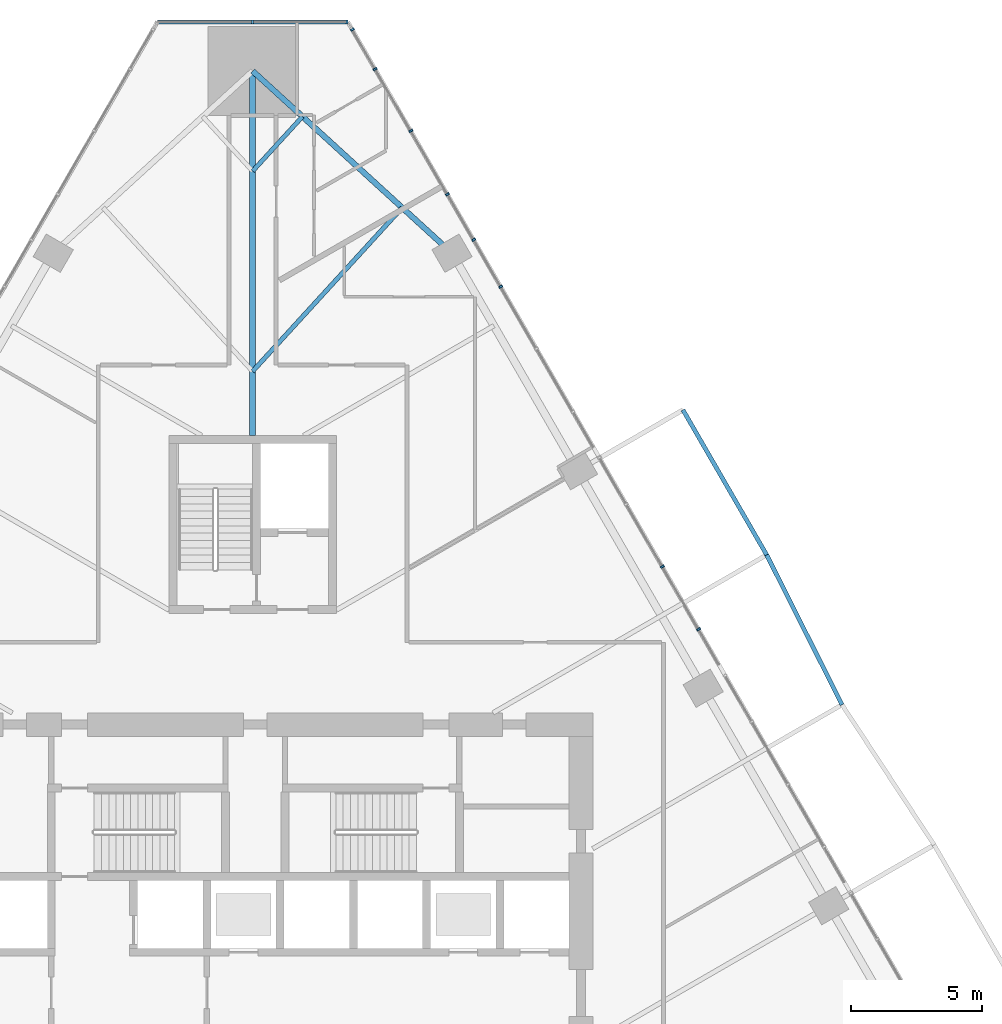
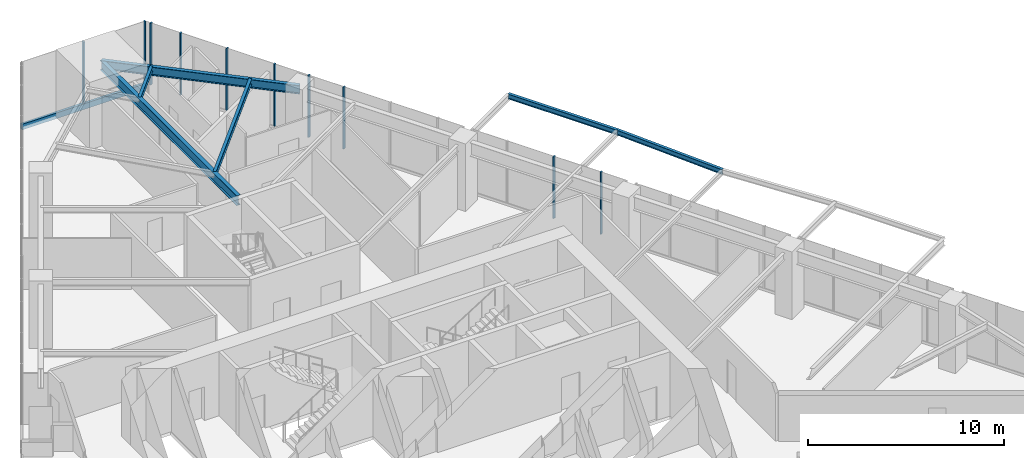
# One storey, part 13 of 29: 11 members, 6 beams, 2 elements without a shape of their own.
"""IFC4 building model written with IfcOpenShell, lengths in metres."""

import ifcopenshell
import ifcopenshell.guid

model = None  # the IFC model being written
_history = None  # IfcOwnerHistory: only IFC2X3 demands one
_inside = {}  # id of a spatial element -> (the spatial element, [elements in it])
_under = {}  # id of a project, library or spatial element -> (it, [spatial elements below it])
_declared = {}  # id of a project -> (the project, [libraries it declares])
_typed = {}  # id of a type object -> (the type object, [elements of that type])
_made_of = {}  # id of a material, layer set ... -> (it, [elements and type objects made of it])


def new_model(schema):
    """Start an empty IFC model of exactly this schema.

    Asked for "IFC4X3", IfcOpenShell would pick the latest addendum, in which some entities
    have other attributes; the version numbers below select the first issue.
    IFC2X3 requires an IfcOwnerHistory on every rooted entity: one is made here for all.
    """
    global model, _history
    if schema == "IFC4X3":
        model = ifcopenshell.file(schema_version=(4, 3, 0, 0))
    else:
        model = ifcopenshell.file(schema=schema)
    _inside.clear()
    _under.clear()
    _declared.clear()
    _typed.clear()
    _made_of.clear()
    _history = None
    if model.schema == "IFC2X3":
        org = make("IfcOrganization", Name="unknown")
        user = make(
            "IfcPersonAndOrganization",
            ThePerson=make("IfcPerson", FamilyName="unknown"),
            TheOrganization=org,
        )
        app = make(
            "IfcApplication",
            ApplicationDeveloper=org,
            Version="unknown",
            ApplicationFullName="unknown",
            ApplicationIdentifier="unknown",
        )
        _history = make(
            "IfcOwnerHistory",
            OwningUser=user,
            OwningApplication=app,
            ChangeAction="ADDED",
            CreationDate=0,
        )
    return model


def make(cls, **values):
    """One entity of the class cls with the attributes given. An attribute that is None is left unset."""
    return model.create_entity(
        cls, **{name: value for name, value in values.items() if value is not None}
    )


def rooted(cls, **values):
    """An entity with a GlobalId (a new one), such as an element, a storey or a relation."""
    return make(cls, GlobalId=ifcopenshell.guid.new(), OwnerHistory=_history, **values)


def si_unit(unit_type, name, prefix=None):
    """IfcSIUnit, for example si_unit("LENGTHUNIT", "METRE", prefix="MILLI")."""
    return make("IfcSIUnit", UnitType=unit_type, Prefix=prefix, Name=name)


def assignment(units):
    """IfcUnitAssignment: the units of a project."""
    return None if units is None else make("IfcUnitAssignment", Units=units)


def point(xyz):
    """IfcCartesianPoint."""
    return None if xyz is None else make("IfcCartesianPoint", Coordinates=xyz)


def direction(xyz):
    """IfcDirection."""
    return None if xyz is None else make("IfcDirection", DirectionRatios=xyz)


def frame(location, z_axis=None, x_axis=None):
    """IfcAxis2Placement3D, a coordinate frame: its origin and axes. An axis left out is left unset."""
    return make(
        "IfcAxis2Placement3D",
        Location=point(location),
        Axis=direction(z_axis),
        RefDirection=direction(x_axis),
    )


def frame_2d(location, x_axis=None):
    """IfcAxis2Placement2D, a coordinate frame in the plane: its origin and x axis."""
    return make(
        "IfcAxis2Placement2D", Location=point(location), RefDirection=direction(x_axis)
    )


def origin():
    """The frame at (0, 0, 0) with its axes left unset."""
    return frame((0.0, 0.0, 0.0))


def origin_2d():
    """The frame at (0, 0) in the plane with its x axis left unset."""
    return frame_2d((0.0, 0.0))


def place(relative_to, where):
    """IfcLocalPlacement: puts the frame where relative to a parent placement (None: the world)."""
    return make(
        "IfcLocalPlacement", PlacementRelTo=relative_to, RelativePlacement=where
    )


def context(
    kind, dimensions, precision=None, world=None, true_north=None, identifier=None
):
    """IfcGeometricRepresentationContext, for example the 3D "Model" context."""
    return make(
        "IfcGeometricRepresentationContext",
        ContextIdentifier=identifier,
        ContextType=kind,
        CoordinateSpaceDimension=dimensions,
        Precision=precision,
        WorldCoordinateSystem=world,
        TrueNorth=true_north,
    )


def subcontext(parent, identifier, kind, view, scale=None):
    """IfcGeometricRepresentationSubContext, for example "Body" below "Model"."""
    return make(
        "IfcGeometricRepresentationSubContext",
        ContextIdentifier=identifier,
        ContextType=kind,
        ParentContext=parent,
        TargetScale=scale,
        TargetView=view,
    )


def project(units=None, contexts=None):
    """IfcProject with its units and contexts."""
    return rooted(
        "IfcProject",
        Name="project",
        RepresentationContexts=contexts,
        UnitsInContext=assignment(units),
    )


def spatial(cls, under=None, at=None, **own):
    """A site, building, storey or space (cls), placed at a placement, below another one or the project."""
    s = rooted(cls, ObjectPlacement=at, **own)
    if under is not None:
        _under.setdefault(under.id(), (under, []))[1].append(s)
    return s


def profile(cls, at=None, kind="AREA", **sizes):
    """A parametric profile (cls). Its sizes go by their IFC names, for example OverallWidth=200.0."""
    return make(cls, ProfileType=kind, Position=at, **sizes)


def rectangle(**sizes):
    """IfcRectangleProfileDef."""
    return profile("IfcRectangleProfileDef", **sizes)


def i_section(**sizes):
    """IfcIShapeProfileDef."""
    return profile("IfcIShapeProfileDef", **sizes)


def extrude(swept, where, along, depth):
    """IfcExtrudedAreaSolid: the profile swept, set in the frame where, extruded along a direction by depth."""
    return make(
        "IfcExtrudedAreaSolid",
        SweptArea=swept,
        Position=where,
        ExtrudedDirection=direction(along),
        Depth=depth,
    )


def shape(context_of_items, identifier, shape_type, items):
    """IfcShapeRepresentation: the items that make up one representation, for example the "Body"."""
    return make(
        "IfcShapeRepresentation",
        ContextOfItems=context_of_items,
        RepresentationIdentifier=identifier,
        RepresentationType=shape_type,
        Items=items,
    )


def material(Name=None, Category=None):
    """IfcMaterial."""
    return make("IfcMaterial", Name=Name, Category=Category)


def layer(
    of_material, thickness, ventilated=None, Name=None, Category=None, Priority=None
):
    """IfcMaterialLayer: one layer of a wall or slab, of a material (None: an air gap)."""
    return make(
        "IfcMaterialLayer",
        Material=of_material,
        LayerThickness=thickness,
        IsVentilated=ventilated,
        Name=Name,
        Category=Category,
        Priority=Priority,
    )


def layer_set(layers, Name=None):
    """IfcMaterialLayerSet."""
    return make("IfcMaterialLayerSet", MaterialLayers=layers, LayerSetName=Name)


def material_profile(
    of_material, cross_section, Name=None, Category=None, Priority=None
):
    """IfcMaterialProfile: a cross section and its material."""
    return make(
        "IfcMaterialProfile",
        Name=Name,
        Material=of_material,
        Profile=cross_section,
        Priority=Priority,
        Category=Category,
    )


def profile_set(profiles, Name=None, composite=None):
    """IfcMaterialProfileSet."""
    return make(
        "IfcMaterialProfileSet",
        Name=Name,
        MaterialProfiles=profiles,
        CompositeProfile=composite,
    )


def made_of(thing, what):
    """Note that an element or type object is made of a material, layer set ...; save() writes the relation."""
    if what is not None:
        _made_of.setdefault(what.id(), (what, []))[1].append(thing)
    return thing


def type_object(cls, material=None, **own):
    """A type object (cls), such as IfcWallType, which elements share."""
    return made_of(rooted(cls, **own), material)


def element(
    cls,
    number,
    at=None,
    inside=None,
    cuts=None,
    type_object=None,
    material=None,
    context=None,
    identifier="Body",
    shape_type=None,
    held_by="IfcProductDefinitionShape",
    body=None,
    shapes=None,
    **own,
):
    """One element of the class cls, such as IfcWall. Its Tag is "e" and its number.

    at: its placement. inside: the storey or other place that contains it. cuts: it is an
    opening in that element (IfcRelVoidsElement). A single representation is given by context,
    identifier, shape_type and body (its items); several are given by shapes. held_by: the class
    of the entity that holds the representations. save() writes the other relations.
    """
    e = rooted(cls, Tag="e%d" % number, ObjectPlacement=at, **own)
    if body is not None:
        shapes = [shape(context, identifier, shape_type, body)]
    if shapes is not None:
        e.Representation = make(held_by, Representations=shapes)
    if inside is not None:
        _inside.setdefault(inside.id(), (inside, []))[1].append(e)
    if cuts is not None:
        rooted(
            "IfcRelVoidsElement", RelatingBuildingElement=cuts, RelatedOpeningElement=e
        )
    if type_object is not None:
        _typed.setdefault(type_object.id(), (type_object, []))[1].append(e)
    return made_of(e, material)


def aggregate(whole, parts):
    """IfcRelAggregates: a whole, such as a stair, and the parts it consists of."""
    return rooted("IfcRelAggregates", RelatingObject=whole, RelatedObjects=parts)


def save(model, path):
    """Write the relations noted so far, then the file.

    IfcRelAggregates (storeys below a building ...), IfcRelContainedInSpatialStructure (elements
    in a storey), IfcRelDefinesByType, IfcRelAssociatesMaterial and IfcRelDeclares: one each for
    every whole, place, type object, material and project.
    """
    for whole, parts in _under.values():
        aggregate(whole, parts)
    for where, things in _inside.values():
        rooted(
            "IfcRelContainedInSpatialStructure",
            RelatedElements=things,
            RelatingStructure=where,
        )
    for kind, things in _typed.values():
        rooted("IfcRelDefinesByType", RelatedObjects=things, RelatingType=kind)
    for what, things in _made_of.values():
        rooted("IfcRelAssociatesMaterial", RelatedObjects=things, RelatingMaterial=what)
    for by, libraries in _declared.values():
        rooted("IfcRelDeclares", RelatingContext=by, RelatedDefinitions=libraries)
    model.write(path)


model = new_model("IFC4")

# Units and contexts
model_context = context("Model", 3, precision=1e-05, world=origin(), true_north=direction((0.0, 1.0)))
body_context = subcontext(model_context, "Body", "Model", "MODEL_VIEW")
ifc_project = project(units=[si_unit("LENGTHUNIT", "METRE"), si_unit("AREAUNIT", "SQUARE_METRE"), si_unit("VOLUMEUNIT", "CUBIC_METRE"), si_unit("PLANEANGLEUNIT", "RADIAN"), si_unit("MASSUNIT", "GRAM", prefix="KILO")], contexts=[model_context])

# Site, building, storey
site_placement = place(None, origin())
site = spatial("IfcSite", under=ifc_project, at=site_placement, CompositionType="ELEMENT")
building_placement = place(site_placement, origin())
building = spatial("IfcBuilding", under=site, at=building_placement, Name="Firuza Gate Tower and Library", CompositionType="ELEMENT")
storey_placement = place(building_placement, frame((0.0, 0.0, 44.199951171875)))
storey = spatial("IfcBuildingStorey", under=building, at=storey_placement, Name="L09", CompositionType="ELEMENT", Elevation=44.199951171875)

# Curtain wall, members
ifc_material_1 = material(Name="Aluminium 6063-T6", Category="aluminium")
ifc_layer_1 = layer(ifc_material_1, 0.14990234375)
ifc_layer_set_1 = layer_set([ifc_layer_1], Name="Unitised curtain wall, offices")
curtain_wall_type_1 = type_object("IfcCurtainWallType", Name="Unitised curtain wall, offices", PredefinedType="NOTDEFINED", material=ifc_layer_set_1)
placement = place(storey_placement, origin())
curtain_wall_1 = element("IfcCurtainWall", 1, at=placement, inside=storey, type_object=curtain_wall_type_1, Name="CW1 L09 E face", PredefinedType="NOTDEFINED")
ifc_material_2 = material(Name="Aluminium 6063-T6", Category="aluminium")
ifc_material_profile_1 = material_profile(ifc_material_2, rectangle(XDim=0.14990234375, YDim=0.080078125, at=origin_2d()))
ifc_profile_set_1 = profile_set([ifc_material_profile_1], Name="Aluminium 6063-T6")
member_type_1 = type_object("IfcMemberType", Name="Curtain wall mullion 80x150", PredefinedType="MULLION", material=ifc_profile_set_1)
member_1_placement = place(storey_placement, frame((90.661376953125, 89.593017578125, 0.150146484375), z_axis=(0.0, 0.0, 1.0), x_axis=(-0.866025403784, -0.5, 0.0)))
member_1 = element("IfcMember", 2, at=member_1_placement, type_object=member_type_1, Name="Mullion", PredefinedType="MULLION", context=body_context, shape_type="SweptSolid", body=[
    extrude(rectangle(XDim=0.14990234375, YDim=0.080078125, at=origin_2d()), origin(), (0.0, 0.0, 1.0), 3.849853515625),
])
member_2_placement = place(storey_placement, frame((83.450439453125, 102.08251953125, 0.150146484375), z_axis=(0.0, 0.0, 1.0), x_axis=(-0.866025403784, -0.5, 0.0)))
member_2 = element("IfcMember", 3, at=member_2_placement, type_object=member_type_1, Name="Mullion", PredefinedType="MULLION", context=body_context, shape_type="SweptSolid", body=[
    extrude(rectangle(XDim=0.14990234375, YDim=0.080078125, at=origin_2d()), origin(), (0.0, 0.0, 1.0), 3.849853515625),
])
member_3_placement = place(storey_placement, frame((81.046875, 106.24560546875, 0.150146484375), z_axis=(0.0, 0.0, 1.0), x_axis=(-0.866025403784, -0.5, 0.0)))
member_3 = element("IfcMember", 4, at=member_3_placement, type_object=member_type_1, Name="Mullion", PredefinedType="MULLION", context=body_context, shape_type="SweptSolid", body=[
    extrude(rectangle(XDim=0.14990234375, YDim=0.080078125, at=origin_2d()), origin(), (0.0, 0.0, 1.0), 3.849853515625),
])
member_4_placement = place(storey_placement, frame((92.046142578125, 87.1943359375, 0.150146484375), z_axis=(0.0, 0.0, 1.0), x_axis=(-0.866025403784, -0.5, 0.0)))
member_4 = element("IfcMember", 5, at=member_4_placement, type_object=member_type_1, Name="Mullion", PredefinedType="MULLION", context=body_context, shape_type="SweptSolid", body=[
    extrude(rectangle(XDim=0.14990234375, YDim=0.080078125, at=origin_2d()), origin(), (0.0, 0.0, 1.0), 3.849853515625),
])
member_5_placement = place(storey_placement, frame((84.483642578125, 100.29296875, 0.150146484375), z_axis=(0.0, 0.0, 1.0), x_axis=(-0.866025403784, -0.5, 0.0)))
member_5 = element("IfcMember", 6, at=member_5_placement, type_object=member_type_1, Name="Mullion", PredefinedType="MULLION", context=body_context, shape_type="SweptSolid", body=[
    extrude(rectangle(XDim=0.14990234375, YDim=0.080078125, at=origin_2d()), origin(), (0.0, 0.0, 1.0), 3.849853515625),
])
member_6_placement = place(storey_placement, frame((82.446044921875, 103.822021484375, 0.150146484375), z_axis=(0.0, 0.0, 1.0), x_axis=(-0.866025403784, -0.5, 0.0)))
member_6 = element("IfcMember", 7, at=member_6_placement, type_object=member_type_1, Name="Mullion", PredefinedType="MULLION", context=body_context, shape_type="SweptSolid", body=[
    extrude(rectangle(XDim=0.14990234375, YDim=0.080078125, at=origin_2d()), origin(), (0.0, 0.0, 1.0), 3.849853515625),
])
member_7_placement = place(storey_placement, frame((79.683837890625, 108.606689453125, 0.150146484375), z_axis=(0.0, 0.0, 1.0), x_axis=(-0.866025403784, -0.5, 0.0)))
member_7 = element("IfcMember", 8, at=member_7_placement, type_object=member_type_1, Name="Mullion", PredefinedType="MULLION", context=body_context, shape_type="SweptSolid", body=[
    extrude(rectangle(XDim=0.14990234375, YDim=0.080078125, at=origin_2d()), origin(), (0.0, 0.0, 1.0), 3.849853515625),
])
member_8_placement = place(storey_placement, frame((78.808837890625, 110.1220703125, 0.150146484375), z_axis=(0.0, 0.0, 1.0), x_axis=(-0.866025403784, -0.5, 0.0)))
member_8 = element("IfcMember", 9, at=member_8_placement, type_object=member_type_1, Name="Mullion", PredefinedType="MULLION", context=body_context, shape_type="SweptSolid", body=[
    extrude(rectangle(XDim=0.14990234375, YDim=0.080078125, at=origin_2d()), origin(), (0.0, 0.0, 1.0), 3.849853515625),
])
aggregate(curtain_wall_1, [member_1, member_2, member_3, member_4, member_5, member_6, member_7, member_8])

ifc_material_3 = material(Name="Aluminium 6063-T6", Category="aluminium")
ifc_layer_2 = layer(ifc_material_3, 0.14990234375)
ifc_layer_set_2 = layer_set([ifc_layer_2], Name="Corner curtain wall, chamfers")
curtain_wall_type_2 = type_object("IfcCurtainWallType", Name="Corner curtain wall, chamfers", PredefinedType="NOTDEFINED", material=ifc_layer_set_2)
curtain_wall_2 = element("IfcCurtainWall", 10, at=placement, inside=storey, type_object=curtain_wall_type_2, Name="CW4 L09 N corner", PredefinedType="NOTDEFINED")
member_9_placement = place(storey_placement, frame((78.603271484375, 110.408935546875, 0.150146484375), z_axis=(0.0, 0.0, 1.0), x_axis=(0.0, -1.0, 0.0)))
member_9 = element("IfcMember", 11, at=member_9_placement, type_object=member_type_1, Name="Mullion", PredefinedType="MULLION", context=body_context, shape_type="SweptSolid", body=[
    extrude(rectangle(XDim=0.14990234375, YDim=0.080078125, at=origin_2d()), origin(), (0.0, 0.0, 1.0), 3.849853515625),
])
member_10_placement = place(storey_placement, frame((75.0, 110.408935546875, 0.150146484375), z_axis=(0.0, 0.0, 1.0), x_axis=(0.0, -1.0, 0.0)))
member_10 = element("IfcMember", 12, at=member_10_placement, type_object=member_type_1, Name="Mullion", PredefinedType="MULLION", context=body_context, shape_type="SweptSolid", body=[
    extrude(rectangle(XDim=0.14990234375, YDim=0.080078125, at=origin_2d()), origin(), (0.0, 0.0, 1.0), 3.849853515625),
])
ifc_material_4 = material(Name="Aluminium 6063-T6", Category="aluminium")
ifc_material_profile_2 = material_profile(ifc_material_4, rectangle(XDim=0.14990234375, YDim=0.35009765625, at=origin_2d()))
ifc_profile_set_2 = profile_set([ifc_material_profile_2], Name="Aluminium 6063-T6")
member_type_2 = type_object("IfcMemberType", Name="Curtain wall transom 350x150", PredefinedType="USERDEFINED", material=ifc_profile_set_2)
member_11_placement = place(storey_placement, frame((78.643310546875, 110.408935546875, -0.02490234375), z_axis=(-1.0, 0.0, 0.0), x_axis=(0.0, -1.0, 0.0)))
member_11 = element("IfcMember", 13, at=member_11_placement, type_object=member_type_2, Name="Transom", ObjectType="TRANSOM", PredefinedType="USERDEFINED", context=body_context, shape_type="SweptSolid", body=[
    extrude(rectangle(XDim=0.14990234375, YDim=0.35009765625, at=origin_2d()), origin(), (0.0, 0.0, 1.0), 7.28662109375),
])
aggregate(curtain_wall_2, [member_9, member_10, member_11])

# Beams
ifc_material_5 = material(Name="Steel S355", Category="steel")
ifc_material_profile_3 = material_profile(ifc_material_5, i_section(OverallWidth=0.1650390625, OverallDepth=0.31005859375, WebThickness=0.005859375, FlangeThickness=0.009765625, at=origin_2d()))
ifc_profile_set_3 = profile_set([ifc_material_profile_3], Name="Steel S355")
beam_type_1 = type_object("IfcBeamType", Name="W310x39 Floor beam", PredefinedType="JOIST", material=ifc_profile_set_3)
beam_1_placement = place(storey_placement, frame((76.905029296875, 106.79296875, 3.844970703125), z_axis=(-0.674533736892, -0.738244023203, 0.0), x_axis=(0.738244023203, -0.674533736892, 0.0)))
element("IfcBeam", 14, at=beam_1_placement, inside=storey, type_object=beam_type_1, Name="Floor beam L09 s61", PredefinedType="JOIST", context=body_context, shape_type="SweptSolid", body=[
    extrude(i_section(OverallWidth=0.1650390625, OverallDepth=0.31005859375, WebThickness=0.005859375, FlangeThickness=0.009765625, at=origin_2d()), origin(), (0.0, 0.0, 1.0), 2.82421875),
])
beam_2_placement = place(storey_placement, frame((97.52783203125, 84.311279296875, 3.844970703125), z_axis=(-0.449268912623, 0.893396577199, 0.0), x_axis=(-0.893396577199, -0.449268912623, 0.0)))
element("IfcBeam", 15, at=beam_2_placement, inside=storey, type_object=beam_type_1, Name="Tray edge beam L09 s52-s53", PredefinedType="JOIST", context=body_context, shape_type="SweptSolid", body=[
    extrude(i_section(OverallWidth=0.1650390625, OverallDepth=0.31005859375, WebThickness=0.005859375, FlangeThickness=0.009765625, at=origin_2d()), origin(), (0.0, 0.0, 1.0), 6.41064453125),
])
beam_3_placement = place(storey_placement, frame((94.647705078125, 90.03857421875, 3.844970703125), z_axis=(-0.500028443584, 0.866008981251, 0.0), x_axis=(-0.866008981251, -0.500028443584, 0.0)))
element("IfcBeam", 16, at=beam_3_placement, inside=storey, type_object=beam_type_1, Name="Tray edge beam L09 s53-s54", PredefinedType="JOIST", context=body_context, shape_type="SweptSolid", body=[
    extrude(i_section(OverallWidth=0.1650390625, OverallDepth=0.31005859375, WebThickness=0.005859375, FlangeThickness=0.009765625, at=origin_2d()), origin(), (0.0, 0.0, 1.0), 6.400146484375),
])
ifc_material_6 = material(Name="Steel S355", Category="steel")
ifc_material_profile_4 = material_profile(ifc_material_6, i_section(OverallWidth=0.1708984375, OverallDepth=0.35498046875, WebThickness=0.007080078125, FlangeThickness=0.01171875, at=origin_2d()))
ifc_profile_set_4 = profile_set([ifc_material_profile_4], Name="Steel S355")
beam_type_2 = type_object("IfcBeamType", Name="W360x51 Floor beam", PredefinedType="JOIST", material=ifc_profile_set_4)
beam_4_placement = place(storey_placement, frame((80.71533203125, 103.31103515625, 3.822509765625), z_axis=(-0.674578139258, -0.7382034503, 0.0), x_axis=(0.7382034503, -0.674578139258, 0.0)))
element("IfcBeam", 17, at=beam_4_placement, inside=storey, type_object=beam_type_2, Name="Floor beam L09 s60", PredefinedType="JOIST", context=body_context, shape_type="SweptSolid", body=[
    extrude(i_section(OverallWidth=0.1708984375, OverallDepth=0.35498046875, WebThickness=0.007080078125, FlangeThickness=0.01171875, at=origin_2d()), origin(), (0.0, 0.0, 1.0), 8.472412109375),
])
ifc_material_7 = material(Name="Steel S355", Category="steel")
ifc_material_profile_5 = material_profile(ifc_material_7, i_section(OverallWidth=0.212890625, OverallDepth=0.5390625, WebThickness=0.01171875, FlangeThickness=0.018798828125, at=origin_2d()))
ifc_profile_set_5 = profile_set([ifc_material_profile_5], Name="Steel S355")
beam_type_3 = type_object("IfcBeamType", Name="W530x109 Edge beam", PredefinedType="SPANDREL", material=ifc_profile_set_5)
beam_5_placement = place(storey_placement, frame((82.62060546875, 101.570068359375, 3.73046875), z_axis=(-0.738199730284, 0.674582210118, 0.0), x_axis=(-0.674582210118, -0.738199730284, 0.0)))
element("IfcBeam", 18, at=beam_5_placement, inside=storey, type_object=beam_type_3, Name="Edge beam L09 e60", PredefinedType="SPANDREL", context=body_context, shape_type="SweptSolid", body=[
    extrude(i_section(OverallWidth=0.212890625, OverallDepth=0.5390625, WebThickness=0.01171875, FlangeThickness=0.018798828125, at=origin_2d()), origin(), (0.0, 0.0, 1.0), 10.3232421875),
])
ifc_material_8 = material(Name="Steel S355", Category="steel")
ifc_material_profile_6 = material_profile(ifc_material_8, i_section(OverallWidth=0.22802734375, OverallDepth=0.60302734375, WebThickness=0.010498046875, FlangeThickness=0.014892578125, at=origin_2d()))
ifc_profile_set_6 = profile_set([ifc_material_profile_6], Name="Steel S355")
beam_type_4 = type_object("IfcBeamType", Name="W610x101 Girder", PredefinedType="BEAM", material=ifc_profile_set_6)
beam_6_placement = place(storey_placement, frame((75.0, 108.533935546875, 3.698486328125), z_axis=(0.0, -1.0, 0.0), x_axis=(1.0, 0.0, 0.0)))
element("IfcBeam", 19, at=beam_6_placement, inside=storey, type_object=beam_type_4, Name="Girder L09 gN", PredefinedType="BEAM", context=body_context, shape_type="SweptSolid", body=[
    extrude(i_section(OverallWidth=0.22802734375, OverallDepth=0.60302734375, WebThickness=0.010498046875, FlangeThickness=0.014892578125, at=origin_2d()), origin(), (0.0, 0.0, 1.0), 13.933837890625),
])

save(model, "model.ifc")
